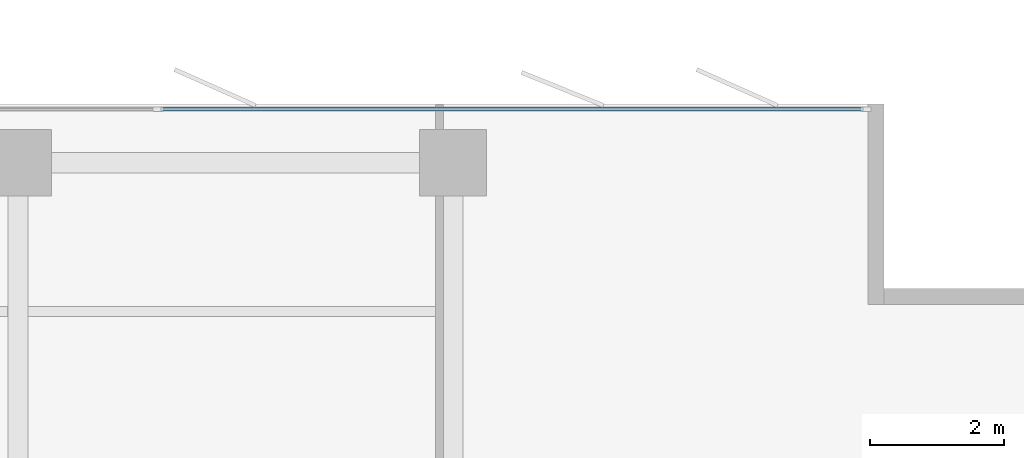
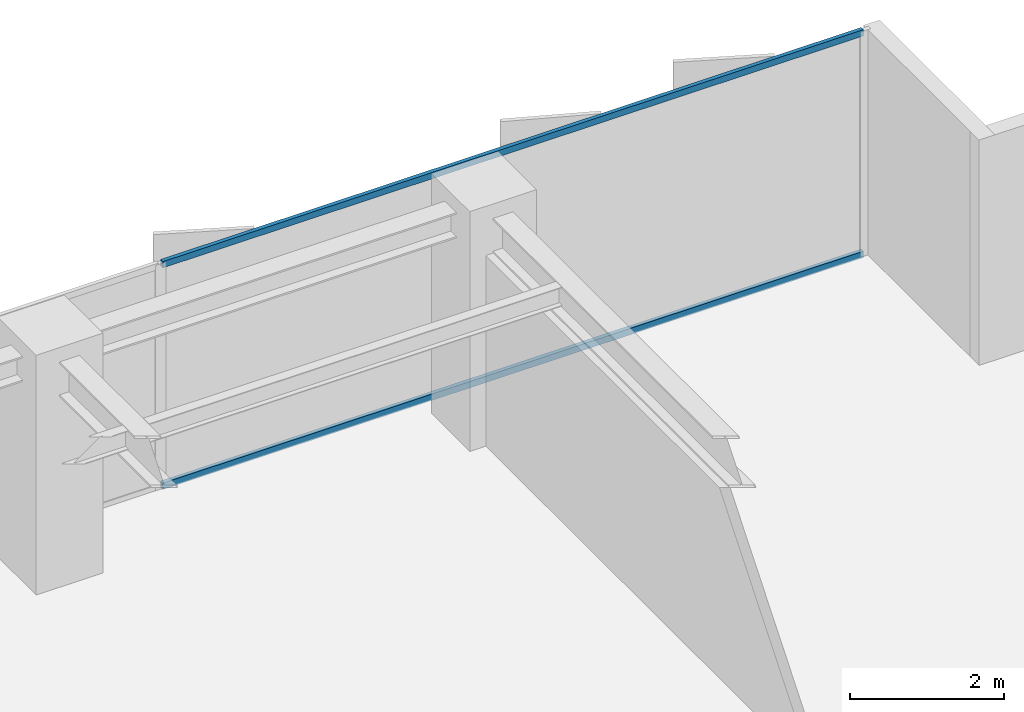
# One storey, part 11 of 22: 2 members, 1 element without a shape of its own.
"""IFC4 building model written with IfcOpenShell, lengths in metres."""

from ifc_helpers import new_model, si_unit, direction, frame, origin, origin_2d, place, context, subcontext, project, spatial, rectangle, extrude, material, layer, layer_set, material_profile, profile_set, type_object, element, aggregate, save


model = new_model("IFC4")

# Units and contexts
model_context = context("Model", 3, precision=1e-05, world=origin(), true_north=direction((0.0, 1.0)))
body_context = subcontext(model_context, "Body", "Model", "MODEL_VIEW")
ifc_project = project(units=[si_unit("LENGTHUNIT", "METRE"), si_unit("AREAUNIT", "SQUARE_METRE"), si_unit("VOLUMEUNIT", "CUBIC_METRE"), si_unit("PLANEANGLEUNIT", "RADIAN"), si_unit("MASSUNIT", "GRAM", prefix="KILO")], contexts=[model_context])

# Site, building, storey
site_placement = place(None, origin())
site = spatial("IfcSite", under=ifc_project, at=site_placement, CompositionType="ELEMENT")
building_placement = place(site_placement, origin())
building = spatial("IfcBuilding", under=site, at=building_placement, Name="Putna Gate Headquarters", CompositionType="ELEMENT")
storey_placement = place(building_placement, frame((0.0, 0.0, 167.0)))
storey = spatial("IfcBuildingStorey", under=building, at=storey_placement, Name="L41", CompositionType="ELEMENT", Elevation=167.0)

# Curtain wall, members
ifc_material_1 = material(Name="Anodised bronze aluminium curtain wall", Category="aluminium")
ifc_layer = layer(ifc_material_1, 0.159912109375)
ifc_layer_set = layer_set([ifc_layer], Name="Anodised bronze aluminium curtain wall")
curtain_wall_type = type_object("IfcCurtainWallType", Name="CW-SYS-Z3", PredefinedType="USERDEFINED", material=ifc_layer_set)
curtain_wall_placement = place(storey_placement, origin())
curtain_wall = element("IfcCurtainWall", 1, at=curtain_wall_placement, inside=storey, type_object=curtain_wall_type, Name="L41 North East Curtain Wall", ObjectType="STICK CURTAIN WALL", PredefinedType="USERDEFINED")
ifc_material_2 = material(Name="Anodised bronze aluminium EN AW-6060", Category="aluminium")
ifc_material_profile = material_profile(ifc_material_2, rectangle(XDim=0.06005859375, YDim=0.10009765625, at=origin_2d()), Name="Anodised bronze aluminium EN AW-6060")
ifc_profile_set = profile_set([ifc_material_profile], Name="Anodised bronze aluminium EN AW-6060")
member_type = type_object("IfcMemberType", Name="TRAN-CWT-3", PredefinedType="USERDEFINED", material=ifc_profile_set)
member_1_placement = place(storey_placement, frame((60.632568359375, 48.52001953125, 0.030029296875), z_axis=(1.0, 0.0, 0.0), x_axis=(0.0, 1.0, 0.0)))
member_1 = element("IfcMember", 2, at=member_1_placement, type_object=member_type, Name="CWS-3 transom 2.1", ObjectType="TRANSOM", PredefinedType="USERDEFINED", context=body_context, shape_type="SweptSolid", body=[
    extrude(rectangle(XDim=0.06005859375, YDim=0.10009765625, at=origin_2d()), origin(), (0.0, 0.0, 1.0), 10.50244140625),
])
member_2_placement = place(storey_placement, frame((60.632568359375, 48.52001953125, 3.5419921875), z_axis=(1.0, 0.0, 0.0), x_axis=(0.0, 1.0, 0.0)))
member_2 = element("IfcMember", 3, at=member_2_placement, type_object=member_type, Name="CWS-3 transom 2.2", ObjectType="TRANSOM", PredefinedType="USERDEFINED", context=body_context, shape_type="SweptSolid", body=[
    extrude(rectangle(XDim=0.06005859375, YDim=0.10009765625, at=origin_2d()), origin(), (0.0, 0.0, 1.0), 10.50244140625),
])
aggregate(curtain_wall, [member_1, member_2])

save(model, "model.ifc")
